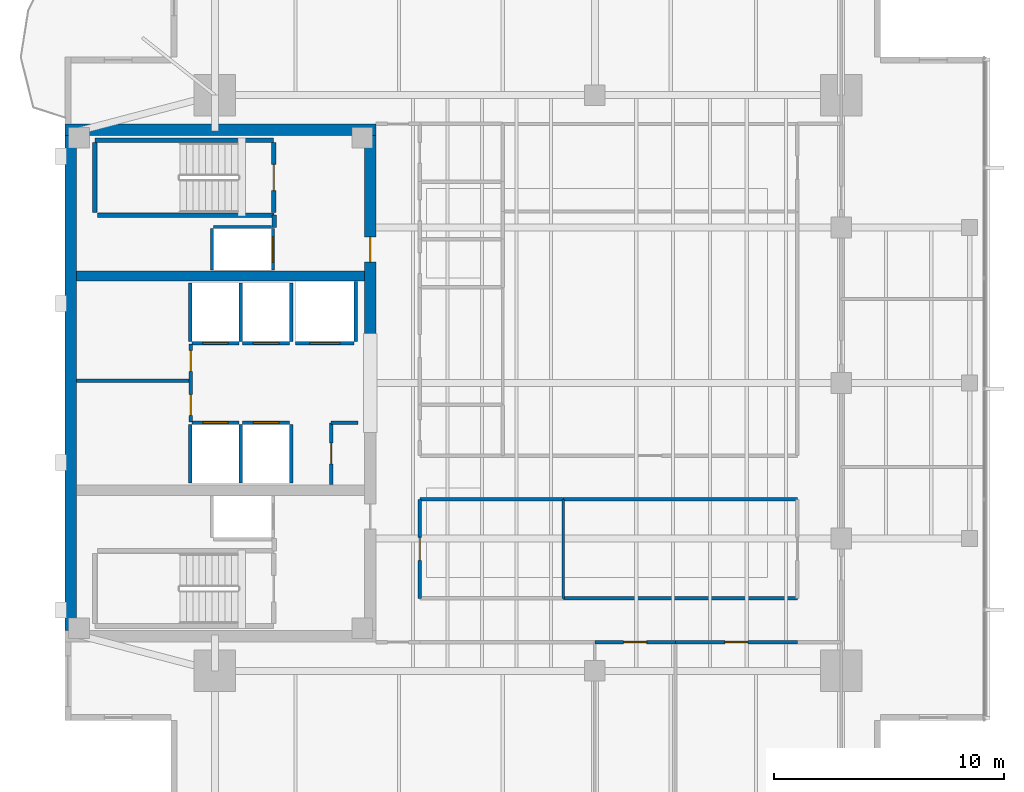
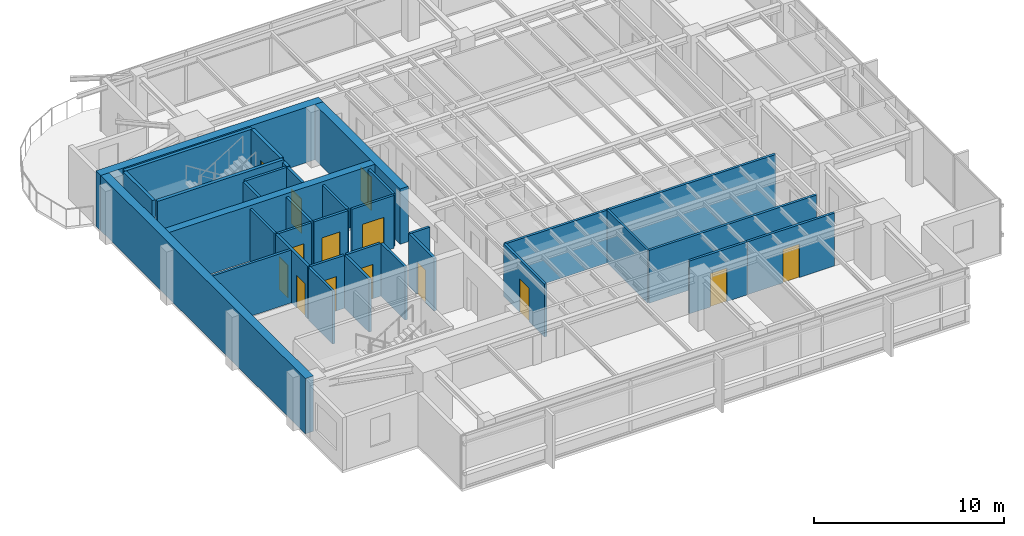
# One storey, part 8 of 14: 35 walls, 14 doors, 14 openings.
"""IFC4 building model written with IfcOpenShell, lengths in metres."""

from ifc_helpers import new_model, si_unit, direction, frame, frame_2d, origin, place, context, subcontext, project, spatial, rectangle, extrude, material, layer, layer_set, type_object, element, fill, save


model = new_model("IFC4")

# Units and contexts
model_context = context("Model", 3, precision=1e-05, world=origin(), true_north=direction((0.0, 1.0)))
body_context = subcontext(model_context, "Body", "Model", "MODEL_VIEW")
ifc_project = project(units=[si_unit("LENGTHUNIT", "METRE"), si_unit("AREAUNIT", "SQUARE_METRE"), si_unit("VOLUMEUNIT", "CUBIC_METRE"), si_unit("PLANEANGLEUNIT", "RADIAN"), si_unit("MASSUNIT", "GRAM", prefix="KILO")], contexts=[model_context])

# Site, building, storey
site_placement = place(None, origin())
site = spatial("IfcSite", under=ifc_project, at=site_placement, CompositionType="ELEMENT")
building_placement = place(site_placement, origin())
building = spatial("IfcBuilding", under=site, at=building_placement, Name="Kinhvarn Gate Tower", CompositionType="ELEMENT")
storey_placement = place(building_placement, frame((0.0, 0.0, 277.64990234375)))
storey = spatial("IfcBuildingStorey", under=building, at=storey_placement, Name="L74", CompositionType="ELEMENT", Elevation=277.64990234375)

# Walls
ifc_material_1 = material(Name="Concrete C50/60", Category="concrete")
ifc_layer_1 = layer(ifc_material_1, 0.449951171875)
ifc_layer_set_1 = layer_set([ifc_layer_1], Name="Concrete C50/60")
wall_type_1 = type_object("IfcWallType", Name="WL-CORE-450", PredefinedType="SHEAR", material=ifc_layer_set_1)
wall_1_placement = place(storey_placement, frame((5.0, 29.89990234375, 0.0), z_axis=(0.0, 0.0, 1.0), x_axis=(1.0, 0.0, 0.0)))
element("IfcWall", 1, at=wall_1_placement, inside=storey, type_object=wall_type_1, Name="Core North Spine Shear Wall L74 450 mm", PredefinedType="SHEAR", context=body_context, shape_type="SweptSolid", body=[
    extrude(rectangle(XDim=12.5, YDim=0.449951171875, at=frame_2d((6.25, 0.0))), origin(), (0.0, 0.0, 1.0), 3.550048828125),
])
ifc_layer_2 = layer(ifc_material_1, 0.5)
ifc_layer_set_2 = layer_set([ifc_layer_2], Name="Concrete C50/60")
wall_type_2 = type_object("IfcWallType", Name="WL-CORE-500", PredefinedType="SHEAR", material=ifc_layer_set_2)
wall_2_placement = place(storey_placement, frame((4.5, 36.25, 0.0), z_axis=(0.0, 0.0, 1.0), x_axis=(1.0, 0.0, 0.0)))
element("IfcWall", 2, at=wall_2_placement, inside=storey, type_object=wall_type_2, Name="Core North Shear Wall L74 500 mm", PredefinedType="SHEAR", context=body_context, shape_type="SweptSolid", body=[
    extrude(rectangle(XDim=13.5, YDim=0.5, at=frame_2d((6.75, 0.0))), origin(), (0.0, 0.0, 1.0), 3.550048828125),
])

# Wall, opening, door
wall_3_placement = place(storey_placement, frame((17.75, 27.050048828125, 0.0), z_axis=(0.0, 0.0, 1.0), x_axis=(0.0, 1.0, 0.0)))
wall_3 = element("IfcWall", 3, at=wall_3_placement, inside=storey, type_object=wall_type_2, Name="Core East-North Shear Pier L74 500 mm", PredefinedType="SHEAR", context=body_context, shape_type="SweptSolid", body=[
    extrude(rectangle(XDim=8.949951171875, YDim=0.5, at=frame_2d((4.47509765625, 0.0))), origin(), (0.0, 0.0, 1.0), 3.550048828125),
])
opening_1_placement = place(wall_3_placement, frame((3.449951171875, 0.0, 0.0)))
opening_1 = element("IfcOpeningElement", 4, at=opening_1_placement, cuts=wall_3, Name="Opening FD-02", PredefinedType="OPENING", context=body_context, shape_type="SweptSolid", body=[
    extrude(rectangle(XDim=1.10009765625, YDim=2.14990234375, at=frame_2d((0.550048828125, 1.074951171875))), frame((0.0, 0.260009765625, 0.0), z_axis=(0.0, -1.0, 0.0), x_axis=(1.0, 0.0, 0.0)), (0.0, 0.0, 1.0), 0.52001953125),
])
ifc_material_2 = material(Name="Anodised aluminium AW-6063", Category="aluminium")
door_type_1 = type_object("IfcDoorType", Name="DR-FD-1100", OperationType="NOTDEFINED", PredefinedType="DOOR", material=ifc_material_2)
door_1_placement = place(opening_1_placement, origin())
door_1 = element("IfcDoor", 5, at=door_1_placement, inside=storey, type_object=door_type_1, Name="Firefighting Lobby Core Door (L74)", OperationType="SINGLE_SWING_LEFT", OverallHeight=2.14990234375, OverallWidth=1.10009765625, PredefinedType="DOOR", context=body_context, shape_type="SweptSolid", body=[
    extrude(rectangle(XDim=1.10009765625, YDim=2.14990234375, at=frame_2d((0.550048828125, 1.074951171875))), frame((0.0, 0.02490234375, 0.0), z_axis=(0.0, -1.0, 0.0), x_axis=(1.0, 0.0, 0.0)), (0.0, 0.0, 1.0), 0.050048828125),
])
fill(opening_1, door_1)

# Walls
ifc_layer_3 = layer(ifc_material_1, 0.5)
ifc_layer_set_3 = layer_set([ifc_layer_3], Name="Concrete C50/60")
wall_type_3 = type_object("IfcWallType", Name="WL-COREX-500", PredefinedType="SHEAR", material=ifc_layer_set_3)
wall_4_placement = place(storey_placement, frame((4.75, 14.5, 0.0), z_axis=(0.0, 0.0, 1.0), x_axis=(0.0, 1.0, 0.0)))
element("IfcWall", 6, at=wall_4_placement, inside=storey, type_object=wall_type_3, Name="Core West Shear Wall L74 500 mm", PredefinedType="SHEAR", context=body_context, shape_type="SweptSolid", body=[
    extrude(rectangle(XDim=21.5, YDim=0.5, at=frame_2d((10.75, 0.0))), origin(), (0.0, 0.0, 1.0), 3.550048828125),
])
ifc_material_3 = material(Name="Gypsum acoustic partition board")
ifc_layer_4 = layer(ifc_material_3, 0.1201171875)
ifc_layer_set_4 = layer_set([ifc_layer_4], Name="Gypsum acoustic partition board")
wall_type_4 = type_object("IfcWallType", Name="WL-PRT-120", PredefinedType="PARTITIONING", material=ifc_layer_set_4)
wall_5_placement = place(storey_placement, frame((26.1298828125, 15.89990234375, 0.0), z_axis=(0.0, 0.0, 1.0), x_axis=(0.0, 1.0, 0.0)))
element("IfcWall", 7, at=wall_5_placement, inside=storey, type_object=wall_type_4, Name="Interior Partition PW-120 (L74)", PredefinedType="PARTITIONING", context=body_context, shape_type="SweptSolid", body=[
    extrude(rectangle(XDim=4.300048828125, YDim=0.1201171875, at=frame_2d((2.14990234375, 0.0))), origin(), (0.0, 0.0, 1.0), 3.39013671875),
])
ifc_layer_5 = layer(ifc_material_3, 0.14990234375)
ifc_layer_set_5 = layer_set([ifc_layer_5], Name="Gypsum acoustic partition board")
wall_type_5 = type_object("IfcWallType", Name="WL-PRT-150F", PredefinedType="PARTITIONING", material=ifc_layer_set_5)
wall_6_placement = place(storey_placement, frame((5.0, 25.35009765625, 0.0), z_axis=(0.0, 0.0, 1.0), x_axis=(1.0, 0.0, 0.0)))
element("IfcWall", 8, at=wall_6_placement, inside=storey, type_object=wall_type_5, Name="Interior Partition PW-150F (L74)", PredefinedType="PARTITIONING", context=body_context, shape_type="SweptSolid", body=[
    extrude(rectangle(XDim=4.949951171875, YDim=0.14990234375, at=frame_2d((2.47509765625, 0.0))), origin(), (0.0, 0.0, 1.0), 3.39013671875),
])

# Wall, openings, doors
wall_7_placement = place(storey_placement, frame((9.949951171875, 23.550048828125, 0.0), z_axis=(0.0, 0.0, 1.0), x_axis=(0.0, 1.0, 0.0)))
wall_7 = element("IfcWall", 9, at=wall_7_placement, inside=storey, type_object=wall_type_5, Name="Interior Partition PW-150F (L74)", PredefinedType="PARTITIONING", context=body_context, shape_type="SweptSolid", body=[
    extrude(rectangle(XDim=3.39990234375, YDim=0.14990234375, at=frame_2d((1.699951171875, 0.0))), origin(), (0.0, 0.0, 1.0), 3.39013671875),
])
opening_2_placement = place(wall_7_placement, frame((0.298095703125, 0.0, 0.0)))
opening_2 = element("IfcOpeningElement", 10, at=opening_2_placement, cuts=wall_7, Name="Opening FD-04", PredefinedType="OPENING", context=body_context, shape_type="SweptSolid", body=[
    extrude(rectangle(XDim=0.89990234375, YDim=2.10009765625, at=frame_2d((0.449951171875, 1.050048828125))), frame((0.0, 0.0849609375, 0.0), z_axis=(0.0, -1.0, 0.0), x_axis=(1.0, 0.0, 0.0)), (0.0, 0.0, 1.0), 0.169921875),
])
opening_3_placement = place(wall_7_placement, frame((2.201904296875, 0.0, 0.0)))
opening_3 = element("IfcOpeningElement", 11, at=opening_3_placement, cuts=wall_7, Name="Opening FD-04", PredefinedType="OPENING", context=body_context, shape_type="SweptSolid", body=[
    extrude(rectangle(XDim=0.89990234375, YDim=2.10009765625, at=frame_2d((0.449951171875, 1.050048828125))), frame((0.0, 0.0849609375, 0.0), z_axis=(0.0, -1.0, 0.0), x_axis=(1.0, 0.0, 0.0)), (0.0, 0.0, 1.0), 0.169921875),
])
door_type_2 = type_object("IfcDoorType", Name="DR-FD-900", OperationType="NOTDEFINED", PredefinedType="DOOR", material=ifc_material_2)
door_2_placement = place(opening_2_placement, origin())
door_2 = element("IfcDoor", 12, at=door_2_placement, inside=storey, type_object=door_type_2, Name="Rated Riser & Service Closet Fire Door 900x2100 mm (L74)", OperationType="SINGLE_SWING_LEFT", OverallHeight=2.10009765625, OverallWidth=0.89990234375, PredefinedType="DOOR", context=body_context, shape_type="SweptSolid", body=[
    extrude(rectangle(XDim=0.89990234375, YDim=2.10009765625, at=frame_2d((0.449951171875, 1.050048828125))), frame((0.0, 0.02490234375, 0.0), z_axis=(0.0, -1.0, 0.0), x_axis=(1.0, 0.0, 0.0)), (0.0, 0.0, 1.0), 0.050048828125),
])
fill(opening_2, door_2)
door_3_placement = place(opening_3_placement, origin())
door_3 = element("IfcDoor", 13, at=door_3_placement, inside=storey, type_object=door_type_2, Name="Rated Riser & Service Closet Fire Door 900x2100 mm (L74)", OperationType="SINGLE_SWING_RIGHT", OverallHeight=2.10009765625, OverallWidth=0.89990234375, PredefinedType="DOOR", context=body_context, shape_type="SweptSolid", body=[
    extrude(rectangle(XDim=0.89990234375, YDim=2.10009765625, at=frame_2d((0.449951171875, 1.050048828125))), frame((0.0, 0.02490234375, 0.0), z_axis=(0.0, -1.0, 0.0), x_axis=(1.0, 0.0, 0.0)), (0.0, 0.0, 1.0), 0.050048828125),
])
fill(opening_3, door_3)

# Wall, opening, door
wall_8_placement = place(storey_placement, frame((16.050048828125, 20.85009765625, 0.0), z_axis=(0.0, 0.0, 1.0), x_axis=(0.0, 1.0, 0.0)))
wall_8 = element("IfcWall", 14, at=wall_8_placement, inside=storey, type_object=wall_type_5, Name="Interior Partition PW-150F (L74)", PredefinedType="PARTITIONING", context=body_context, shape_type="SweptSolid", body=[
    extrude(rectangle(XDim=2.669921875, YDim=0.14990234375, at=frame_2d((1.3349609375, 0.0))), origin(), (0.0, 0.0, 1.0), 3.39013671875),
])
opening_4_placement = place(wall_8_placement, frame((0.885009765625, 0.0, 0.0)))
opening_4 = element("IfcOpeningElement", 15, at=opening_4_placement, cuts=wall_8, Name="Opening FD-04", PredefinedType="OPENING", context=body_context, shape_type="SweptSolid", body=[
    extrude(rectangle(XDim=0.89990234375, YDim=2.10009765625, at=frame_2d((0.449951171875, 1.050048828125))), frame((0.0, 0.0849609375, 0.0), z_axis=(0.0, -1.0, 0.0), x_axis=(1.0, 0.0, 0.0)), (0.0, 0.0, 1.0), 0.169921875),
])
door_4_placement = place(opening_4_placement, origin())
door_4 = element("IfcDoor", 16, at=door_4_placement, inside=storey, type_object=door_type_2, Name="Rated Riser & Service Closet Fire Door 900x2100 mm (L74)", OperationType="SINGLE_SWING_LEFT", OverallHeight=2.10009765625, OverallWidth=0.89990234375, PredefinedType="DOOR", context=body_context, shape_type="SweptSolid", body=[
    extrude(rectangle(XDim=0.89990234375, YDim=2.10009765625, at=frame_2d((0.449951171875, 1.050048828125))), frame((0.0, 0.02490234375, 0.0), z_axis=(0.0, -1.0, 0.0), x_axis=(1.0, 0.0, 0.0)), (0.0, 0.0, 1.0), 0.050048828125),
])
fill(opening_4, door_4)

# Wall
wall_9_placement = place(storey_placement, frame((16.050048828125, 23.52001953125, 0.0), z_axis=(0.0, 0.0, 1.0), x_axis=(1.0, 0.0, 0.0)))
element("IfcWall", 17, at=wall_9_placement, inside=storey, type_object=wall_type_5, Name="Interior Partition PW-150F (L74)", PredefinedType="PARTITIONING", context=body_context, shape_type="SweptSolid", body=[
    extrude(rectangle(XDim=1.169921875, YDim=0.14990234375, at=frame_2d((0.5849609375, 0.0))), origin(), (0.0, 0.0, 1.0), 3.39013671875),
])

# Wall, opening, door
wall_10_placement = place(storey_placement, frame((19.89990234375, 15.89990234375, 0.0), z_axis=(0.0, 0.0, 1.0), x_axis=(0.0, 1.0, 0.0)))
wall_10 = element("IfcWall", 18, at=wall_10_placement, inside=storey, type_object=wall_type_5, Name="Interior Partition PW-150F (L74)", PredefinedType="PARTITIONING", context=body_context, shape_type="SweptSolid", body=[
    extrude(rectangle(XDim=4.300048828125, YDim=0.14990234375, at=frame_2d((2.14990234375, 0.0))), origin(), (0.0, 0.0, 1.0), 3.39013671875),
])
opening_5_placement = place(wall_10_placement, frame((1.64990234375, 0.0, 0.0)))
opening_5 = element("IfcOpeningElement", 19, at=opening_5_placement, cuts=wall_10, Name="Opening ID-02", PredefinedType="OPENING", context=body_context, shape_type="SweptSolid", body=[
    extrude(rectangle(XDim=1.0, YDim=2.14990234375, at=frame_2d((0.5, 1.074951171875))), frame((0.0, 0.0849609375, 0.0), z_axis=(0.0, -1.0, 0.0), x_axis=(1.0, 0.0, 0.0)), (0.0, 0.0, 1.0), 0.169921875),
])
door_type_3 = type_object("IfcDoorType", Name="DR-INT-1000", OperationType="NOTDEFINED", PredefinedType="DOOR", material=ifc_material_2)
door_5_placement = place(opening_5_placement, origin())
door_5 = element("IfcDoor", 20, at=door_5_placement, inside=storey, type_object=door_type_3, Name="Standard Office & Meeting Room Door 1000x2150 mm (L74)", OperationType="SINGLE_SWING_RIGHT", OverallHeight=2.14990234375, OverallWidth=1.0, PredefinedType="DOOR", context=body_context, shape_type="SweptSolid", body=[
    extrude(rectangle(XDim=1.0, YDim=2.14990234375, at=frame_2d((0.5, 1.074951171875))), frame((0.0, 0.02490234375, 0.0), z_axis=(0.0, -1.0, 0.0), x_axis=(1.0, 0.0, 0.0)), (0.0, 0.0, 1.0), 0.050048828125),
])
fill(opening_5, door_5)

# Walls
wall_11_placement = place(storey_placement, frame((19.89990234375, 20.199951171875, 0.0), z_axis=(0.0, 0.0, 1.0), x_axis=(1.0, 0.0, 0.0)))
element("IfcWall", 21, at=wall_11_placement, inside=storey, type_object=wall_type_5, Name="Interior Partition PW-150F (L74)", PredefinedType="PARTITIONING", context=body_context, shape_type="SweptSolid", body=[
    extrude(rectangle(XDim=6.22998046875, YDim=0.14990234375, at=frame_2d((3.114990234375, 0.0))), origin(), (0.0, 0.0, 1.0), 3.39013671875),
])
for number, where, z_axis, x_axis, name in (
    (22, (26.1298828125, 20.199951171875, 0.0), (0.0, 0.0, 1.0), (1.0, 0.0, 0.0), "Interior Partition PW-150F (L74)"),
    (23, (26.1298828125, 15.89990234375, 0.0), (0.0, 0.0, 1.0), (1.0, 0.0, 0.0), "Interior Partition PW-150F (L74)"),
):
    element("IfcWall", number, at=place(storey_placement, frame(where, z_axis=z_axis, x_axis=x_axis)), inside=storey, type_object=wall_type_5, Name=name, PredefinedType="PARTITIONING", context=body_context, shape_type="SweptSolid", body=[
        extrude(rectangle(XDim=10.170166015625, YDim=0.14990234375, at=frame_2d((5.0849609375, 0.0))), origin(), (0.0, 0.0, 1.0), 3.39013671875),
    ])

# Wall, opening, door
wall_12_placement = place(storey_placement, frame((27.5, 14.0, 0.0), z_axis=(0.0, 0.0, 1.0), x_axis=(1.0, 0.0, 0.0)))
wall_12 = element("IfcWall", 24, at=wall_12_placement, inside=storey, type_object=wall_type_5, Name="Interior Partition PW-150F (L74)", PredefinedType="PARTITIONING", context=body_context, shape_type="SweptSolid", body=[
    extrude(rectangle(XDim=3.5, YDim=0.14990234375, at=frame_2d((1.75, 0.0))), origin(), (0.0, 0.0, 1.0), 3.39013671875),
])
opening_6_placement = place(wall_12_placement, frame((1.25, 0.0, 0.0)))
opening_6 = element("IfcOpeningElement", 25, at=opening_6_placement, cuts=wall_12, Name="Opening ID-02", PredefinedType="OPENING", context=body_context, shape_type="SweptSolid", body=[
    extrude(rectangle(XDim=1.0, YDim=2.14990234375, at=frame_2d((0.5, 1.074951171875))), frame((0.0, 0.0849609375, 0.0), z_axis=(0.0, -1.0, 0.0), x_axis=(1.0, 0.0, 0.0)), (0.0, 0.0, 1.0), 0.169921875),
])
door_6_placement = place(opening_6_placement, origin())
door_6 = element("IfcDoor", 26, at=door_6_placement, inside=storey, type_object=door_type_3, Name="Standard Office & Meeting Room Door 1000x2150 mm (L74)", OperationType="SINGLE_SWING_RIGHT", OverallHeight=2.14990234375, OverallWidth=1.0, PredefinedType="DOOR", context=body_context, shape_type="SweptSolid", body=[
    extrude(rectangle(XDim=1.0, YDim=2.14990234375, at=frame_2d((0.5, 1.074951171875))), frame((0.0, 0.02490234375, 0.0), z_axis=(0.0, -1.0, 0.0), x_axis=(1.0, 0.0, 0.0)), (0.0, 0.0, 1.0), 0.050048828125),
])
fill(opening_6, door_6)

wall_13_placement = place(storey_placement, frame((31.0, 14.0, 0.0), z_axis=(0.0, 0.0, 1.0), x_axis=(1.0, 0.0, 0.0)))
wall_13 = element("IfcWall", 27, at=wall_13_placement, inside=storey, type_object=wall_type_5, Name="Interior Partition PW-150F (L74)", PredefinedType="PARTITIONING", context=body_context, shape_type="SweptSolid", body=[
    extrude(rectangle(XDim=5.300048828125, YDim=0.14990234375, at=frame_2d((2.64990234375, 0.0))), origin(), (0.0, 0.0, 1.0), 3.39013671875),
])
opening_7_placement = place(wall_13_placement, frame((2.14990234375, 0.0, 0.0)))
opening_7 = element("IfcOpeningElement", 28, at=opening_7_placement, cuts=wall_13, Name="Opening ID-02", PredefinedType="OPENING", context=body_context, shape_type="SweptSolid", body=[
    extrude(rectangle(XDim=1.0, YDim=2.14990234375, at=frame_2d((0.5, 1.074951171875))), frame((0.0, 0.0849609375, 0.0), z_axis=(0.0, -1.0, 0.0), x_axis=(1.0, 0.0, 0.0)), (0.0, 0.0, 1.0), 0.169921875),
])
door_7_placement = place(opening_7_placement, origin())
door_7 = element("IfcDoor", 29, at=door_7_placement, inside=storey, type_object=door_type_3, Name="Standard Office & Meeting Room Door 1000x2150 mm (L74)", OperationType="SINGLE_SWING_LEFT", OverallHeight=2.14990234375, OverallWidth=1.0, PredefinedType="DOOR", context=body_context, shape_type="SweptSolid", body=[
    extrude(rectangle(XDim=1.0, YDim=2.14990234375, at=frame_2d((0.5, 1.074951171875))), frame((0.0, 0.02490234375, 0.0), z_axis=(0.0, -1.0, 0.0), x_axis=(1.0, 0.0, 0.0)), (0.0, 0.0, 1.0), 0.050048828125),
])
fill(opening_7, door_7)

# Wall
ifc_layer_6 = layer(ifc_material_3, 0.199951171875)
ifc_layer_set_6 = layer_set([ifc_layer_6], Name="Gypsum acoustic partition board")
wall_type_6 = type_object("IfcWallType", Name="WL-PRT-200", PredefinedType="PARTITIONING", material=ifc_layer_set_6)
wall_14_placement = place(storey_placement, frame((13.580078125, 32.0, 0.0), z_axis=(0.0, 0.0, 1.0), x_axis=(0.0, 1.0, 0.0)))
element("IfcWall", 30, at=wall_14_placement, inside=storey, type_object=wall_type_6, Name="Interior Partition PW-200 (L74)", PredefinedType="PARTITIONING", context=body_context, shape_type="SweptSolid", body=[
    extrude(rectangle(XDim=0.5400390625, YDim=0.199951171875, at=frame_2d((0.27001953125, 0.0))), origin(), (0.0, 0.0, 1.0), 3.39013671875),
])

# Wall, opening, door
ifc_layer_7 = layer(ifc_material_3, 0.14990234375)
ifc_layer_set_7 = layer_set([ifc_layer_7], Name="Gypsum acoustic partition board")
wall_type_7 = type_object("IfcWallType", Name="WL-SHF-150", PredefinedType="PARTITIONING", material=ifc_layer_set_7)
wall_15_placement = place(storey_placement, frame((10.0, 23.52490234375, 0.0), z_axis=(0.0, 0.0, 1.0), x_axis=(1.0, 0.0, 0.0)))
wall_15 = element("IfcWall", 31, at=wall_15_placement, inside=storey, type_object=wall_type_7, Name="Elevator PH-09 Landing Wall (L74)", PredefinedType="PARTITIONING", context=body_context, shape_type="SweptSolid", body=[
    extrude(rectangle(XDim=2.050048828125, YDim=0.14990234375, at=frame_2d((1.02490234375, 0.0))), origin(), (0.0, 0.0, 1.0), 3.39013671875),
])
opening_8_placement = place(wall_15_placement, frame((0.47509765625, 0.0, 0.0)))
opening_8 = element("IfcOpeningElement", 32, at=opening_8_placement, cuts=wall_15, Name="Opening LD-01", PredefinedType="OPENING", context=body_context, shape_type="SweptSolid", body=[
    extrude(rectangle(XDim=1.10009765625, YDim=2.199951171875, at=frame_2d((0.550048828125, 1.10009765625))), frame((0.0, 0.0849609375, 0.0), z_axis=(0.0, -1.0, 0.0), x_axis=(1.0, 0.0, 0.0)), (0.0, 0.0, 1.0), 0.169921875),
])
door_type_4 = type_object("IfcDoorType", Name="DR-LND-PAS", OperationType="NOTDEFINED", PredefinedType="DOOR", material=ifc_material_2)
door_8_placement = place(opening_8_placement, origin())
door_8 = element("IfcDoor", 33, at=door_8_placement, inside=storey, type_object=door_type_4, Name="Elevator PH-09 Sliding Landing Door (L74)", OperationType="DOUBLE_DOOR_SLIDING", OverallHeight=2.199951171875, OverallWidth=1.10009765625, PredefinedType="DOOR", context=body_context, shape_type="SweptSolid", body=[
    extrude(rectangle(XDim=1.10009765625, YDim=2.199951171875, at=frame_2d((0.550048828125, 1.10009765625))), frame((0.0, 0.02490234375, 0.0), z_axis=(0.0, -1.0, 0.0), x_axis=(1.0, 0.0, 0.0)), (0.0, 0.0, 1.0), 0.050048828125),
])
fill(opening_8, door_8)

# Walls
for number, where, z_axis, x_axis, name in (
    (34, (9.925048828125, 20.89990234375, 0.0), (0.0, 0.0, 1.0), (0.0, 1.0, 0.0), "Elevator PH-09 Hoistway Wall W (L74)"),
    (35, (12.125, 20.89990234375, 0.0), (0.0, 0.0, 1.0), (0.0, 1.0, 0.0), "Elevator PH-09 Hoistway Wall E (L74)"),
):
    element("IfcWall", number, at=place(storey_placement, frame(where, z_axis=z_axis, x_axis=x_axis)), inside=storey, type_object=wall_type_7, Name=name, PredefinedType="PARTITIONING", context=body_context, shape_type="SweptSolid", body=[
        extrude(rectangle(XDim=2.550048828125, YDim=0.14990234375, at=frame_2d((1.27490234375, 0.0))), origin(), (0.0, 0.0, 1.0), 3.39013671875),
    ])

# Wall, opening, door
wall_16_placement = place(storey_placement, frame((12.199951171875, 23.52490234375, 0.0), z_axis=(0.0, 0.0, 1.0), x_axis=(1.0, 0.0, 0.0)))
wall_16 = element("IfcWall", 36, at=wall_16_placement, inside=storey, type_object=wall_type_7, Name="Elevator PH-10 Landing Wall (L74)", PredefinedType="PARTITIONING", context=body_context, shape_type="SweptSolid", body=[
    extrude(rectangle(XDim=2.050048828125, YDim=0.14990234375, at=frame_2d((1.02490234375, 0.0))), origin(), (0.0, 0.0, 1.0), 3.39013671875),
])
opening_9_placement = place(wall_16_placement, frame((0.47509765625, 0.0, 0.0)))
opening_9 = element("IfcOpeningElement", 37, at=opening_9_placement, cuts=wall_16, Name="Opening LD-01", PredefinedType="OPENING", context=body_context, shape_type="SweptSolid", body=[
    extrude(rectangle(XDim=1.10009765625, YDim=2.199951171875, at=frame_2d((0.550048828125, 1.10009765625))), frame((0.0, 0.0849609375, 0.0), z_axis=(0.0, -1.0, 0.0), x_axis=(1.0, 0.0, 0.0)), (0.0, 0.0, 1.0), 0.169921875),
])
door_9_placement = place(opening_9_placement, origin())
door_9 = element("IfcDoor", 38, at=door_9_placement, inside=storey, type_object=door_type_4, Name="Elevator PH-10 Sliding Landing Door (L74)", OperationType="DOUBLE_DOOR_SLIDING", OverallHeight=2.199951171875, OverallWidth=1.10009765625, PredefinedType="DOOR", context=body_context, shape_type="SweptSolid", body=[
    extrude(rectangle(XDim=1.10009765625, YDim=2.199951171875, at=frame_2d((0.550048828125, 1.10009765625))), frame((0.0, 0.02490234375, 0.0), z_axis=(0.0, -1.0, 0.0), x_axis=(1.0, 0.0, 0.0)), (0.0, 0.0, 1.0), 0.050048828125),
])
fill(opening_9, door_9)

# Wall
wall_17_placement = place(storey_placement, frame((14.324951171875, 20.89990234375, 0.0), z_axis=(0.0, 0.0, 1.0), x_axis=(0.0, 1.0, 0.0)))
element("IfcWall", 39, at=wall_17_placement, inside=storey, type_object=wall_type_7, Name="Elevator PH-10 Hoistway Wall E (L74)", PredefinedType="PARTITIONING", context=body_context, shape_type="SweptSolid", body=[
    extrude(rectangle(XDim=2.550048828125, YDim=0.14990234375, at=frame_2d((1.27490234375, 0.0))), origin(), (0.0, 0.0, 1.0), 3.39013671875),
])

# Wall, opening, door
wall_18_placement = place(storey_placement, frame((10.0, 26.97509765625, 0.0), z_axis=(0.0, 0.0, 1.0), x_axis=(1.0, 0.0, 0.0)))
wall_18 = element("IfcWall", 40, at=wall_18_placement, inside=storey, type_object=wall_type_7, Name="Elevator PH-11 Landing Wall (L74)", PredefinedType="PARTITIONING", context=body_context, shape_type="SweptSolid", body=[
    extrude(rectangle(XDim=2.050048828125, YDim=0.14990234375, at=frame_2d((1.02490234375, 0.0))), origin(), (0.0, 0.0, 1.0), 3.39013671875),
])
opening_10_placement = place(wall_18_placement, frame((0.47509765625, 0.0, 0.0)))
opening_10 = element("IfcOpeningElement", 41, at=opening_10_placement, cuts=wall_18, Name="Opening LD-01", PredefinedType="OPENING", context=body_context, shape_type="SweptSolid", body=[
    extrude(rectangle(XDim=1.10009765625, YDim=2.199951171875, at=frame_2d((0.550048828125, 1.10009765625))), frame((0.0, 0.0849609375, 0.0), z_axis=(0.0, -1.0, 0.0), x_axis=(1.0, 0.0, 0.0)), (0.0, 0.0, 1.0), 0.169921875),
])
door_10_placement = place(opening_10_placement, origin())
door_10 = element("IfcDoor", 42, at=door_10_placement, inside=storey, type_object=door_type_4, Name="Elevator PH-11 Sliding Landing Door (L74)", OperationType="DOUBLE_DOOR_SLIDING", OverallHeight=2.199951171875, OverallWidth=1.10009765625, PredefinedType="DOOR", context=body_context, shape_type="SweptSolid", body=[
    extrude(rectangle(XDim=1.10009765625, YDim=2.199951171875, at=frame_2d((0.550048828125, 1.10009765625))), frame((0.0, 0.02490234375, 0.0), z_axis=(0.0, -1.0, 0.0), x_axis=(1.0, 0.0, 0.0)), (0.0, 0.0, 1.0), 0.050048828125),
])
fill(opening_10, door_10)

# Walls
for number, where, z_axis, x_axis, name in (
    (43, (9.925048828125, 27.050048828125, 0.0), (0.0, 0.0, 1.0), (0.0, 1.0, 0.0), "Elevator PH-11 Hoistway Wall W (L74)"),
    (44, (12.125, 27.050048828125, 0.0), (0.0, 0.0, 1.0), (0.0, 1.0, 0.0), "Elevator PH-11 Hoistway Wall E (L74)"),
):
    element("IfcWall", number, at=place(storey_placement, frame(where, z_axis=z_axis, x_axis=x_axis)), inside=storey, type_object=wall_type_7, Name=name, PredefinedType="PARTITIONING", context=body_context, shape_type="SweptSolid", body=[
        extrude(rectangle(XDim=2.550048828125, YDim=0.14990234375, at=frame_2d((1.27490234375, 0.0))), origin(), (0.0, 0.0, 1.0), 3.39013671875),
    ])

# Wall, opening, door
wall_19_placement = place(storey_placement, frame((12.199951171875, 26.97509765625, 0.0), z_axis=(0.0, 0.0, 1.0), x_axis=(1.0, 0.0, 0.0)))
wall_19 = element("IfcWall", 45, at=wall_19_placement, inside=storey, type_object=wall_type_7, Name="Elevator PH-12 Landing Wall (L74)", PredefinedType="PARTITIONING", context=body_context, shape_type="SweptSolid", body=[
    extrude(rectangle(XDim=2.050048828125, YDim=0.14990234375, at=frame_2d((1.02490234375, 0.0))), origin(), (0.0, 0.0, 1.0), 3.39013671875),
])
opening_11_placement = place(wall_19_placement, frame((0.47509765625, 0.0, 0.0)))
opening_11 = element("IfcOpeningElement", 46, at=opening_11_placement, cuts=wall_19, Name="Opening LD-01", PredefinedType="OPENING", context=body_context, shape_type="SweptSolid", body=[
    extrude(rectangle(XDim=1.10009765625, YDim=2.199951171875, at=frame_2d((0.550048828125, 1.10009765625))), frame((0.0, 0.0849609375, 0.0), z_axis=(0.0, -1.0, 0.0), x_axis=(1.0, 0.0, 0.0)), (0.0, 0.0, 1.0), 0.169921875),
])
door_11_placement = place(opening_11_placement, origin())
door_11 = element("IfcDoor", 47, at=door_11_placement, inside=storey, type_object=door_type_4, Name="Elevator PH-12 Sliding Landing Door (L74)", OperationType="DOUBLE_DOOR_SLIDING", OverallHeight=2.199951171875, OverallWidth=1.10009765625, PredefinedType="DOOR", context=body_context, shape_type="SweptSolid", body=[
    extrude(rectangle(XDim=1.10009765625, YDim=2.199951171875, at=frame_2d((0.550048828125, 1.10009765625))), frame((0.0, 0.02490234375, 0.0), z_axis=(0.0, -1.0, 0.0), x_axis=(1.0, 0.0, 0.0)), (0.0, 0.0, 1.0), 0.050048828125),
])
fill(opening_11, door_11)

# Wall
wall_20_placement = place(storey_placement, frame((14.324951171875, 27.050048828125, 0.0), z_axis=(0.0, 0.0, 1.0), x_axis=(0.0, 1.0, 0.0)))
element("IfcWall", 48, at=wall_20_placement, inside=storey, type_object=wall_type_7, Name="Elevator PH-12 Hoistway Wall E (L74)", PredefinedType="PARTITIONING", context=body_context, shape_type="SweptSolid", body=[
    extrude(rectangle(XDim=2.550048828125, YDim=0.14990234375, at=frame_2d((1.27490234375, 0.0))), origin(), (0.0, 0.0, 1.0), 3.39013671875),
])

# Wall, opening, door
wall_21_placement = place(storey_placement, frame((14.5, 26.97509765625, 0.0), z_axis=(0.0, 0.0, 1.0), x_axis=(1.0, 0.0, 0.0)))
wall_21 = element("IfcWall", 49, at=wall_21_placement, inside=storey, type_object=wall_type_7, Name="Elevator SV-01 Landing Wall (L74)", PredefinedType="PARTITIONING", context=body_context, shape_type="SweptSolid", body=[
    extrude(rectangle(XDim=2.550048828125, YDim=0.14990234375, at=frame_2d((1.27490234375, 0.0))), origin(), (0.0, 0.0, 1.0), 3.39013671875),
])
opening_12_placement = place(wall_21_placement, frame((0.625, 0.0, 0.0)))
opening_12 = element("IfcOpeningElement", 50, at=opening_12_placement, cuts=wall_21, Name="Opening LD-02", PredefinedType="OPENING", context=body_context, shape_type="SweptSolid", body=[
    extrude(rectangle(XDim=1.300048828125, YDim=2.199951171875, at=frame_2d((0.64990234375, 1.10009765625))), frame((0.0, 0.0849609375, 0.0), z_axis=(0.0, -1.0, 0.0), x_axis=(1.0, 0.0, 0.0)), (0.0, 0.0, 1.0), 0.169921875),
])
door_type_5 = type_object("IfcDoorType", Name="DR-LND-SRV", OperationType="NOTDEFINED", PredefinedType="DOOR", material=ifc_material_2)
door_12_placement = place(opening_12_placement, origin())
door_12 = element("IfcDoor", 51, at=door_12_placement, inside=storey, type_object=door_type_5, Name="Elevator SV-01 Sliding Landing Door (L74)", OperationType="DOUBLE_DOOR_SLIDING", OverallHeight=2.199951171875, OverallWidth=1.300048828125, PredefinedType="DOOR", context=body_context, shape_type="SweptSolid", body=[
    extrude(rectangle(XDim=1.300048828125, YDim=2.199951171875, at=frame_2d((0.64990234375, 1.10009765625))), frame((0.0, 0.02490234375, 0.0), z_axis=(0.0, -1.0, 0.0), x_axis=(1.0, 0.0, 0.0)), (0.0, 0.0, 1.0), 0.050048828125),
])
fill(opening_12, door_12)

# Walls
wall_22_placement = place(storey_placement, frame((17.125, 27.050048828125, 0.0), z_axis=(0.0, 0.0, 1.0), x_axis=(0.0, 1.0, 0.0)))
element("IfcWall", 52, at=wall_22_placement, inside=storey, type_object=wall_type_7, Name="Elevator SV-01 Hoistway Wall E (L74)", PredefinedType="PARTITIONING", context=body_context, shape_type="SweptSolid", body=[
    extrude(rectangle(XDim=2.599853515625, YDim=0.14990234375, at=frame_2d((1.2998046875, 0.0))), origin(), (0.0, 0.0, 1.0), 3.39013671875),
])
wall_23_placement = place(storey_placement, frame((10.949951171875, 32.02490234375, 0.0), z_axis=(0.0, 0.0, 1.0), x_axis=(1.0, 0.0, 0.0)))
element("IfcWall", 53, at=wall_23_placement, inside=storey, type_object=wall_type_7, Name="Elevator FF2 Hoistway Wall N (L74)", PredefinedType="PARTITIONING", context=body_context, shape_type="SweptSolid", body=[
    extrude(rectangle(XDim=2.5, YDim=0.14990234375, at=frame_2d((1.25, 0.0))), origin(), (0.0, 0.0, 1.0), 3.39013671875),
])
wall_24_placement = place(storey_placement, frame((10.875, 30.14990234375, 0.0), z_axis=(0.0, 0.0, 1.0), x_axis=(0.0, 1.0, 0.0)))
element("IfcWall", 54, at=wall_24_placement, inside=storey, type_object=wall_type_7, Name="Elevator FF2 Hoistway Wall W (L74)", PredefinedType="PARTITIONING", context=body_context, shape_type="SweptSolid", body=[
    extrude(rectangle(XDim=1.800048828125, YDim=0.14990234375, at=frame_2d((0.89990234375, 0.0))), origin(), (0.0, 0.0, 1.0), 3.39013671875),
])

# Wall, opening, door
wall_25_placement = place(storey_placement, frame((13.52490234375, 30.14990234375, 0.0), z_axis=(0.0, 0.0, 1.0), x_axis=(0.0, 1.0, 0.0)))
wall_25 = element("IfcWall", 55, at=wall_25_placement, inside=storey, type_object=wall_type_7, Name="Elevator FF2 Landing Wall (L74)", PredefinedType="PARTITIONING", context=body_context, shape_type="SweptSolid", body=[
    extrude(rectangle(XDim=1.800048828125, YDim=0.14990234375, at=frame_2d((0.89990234375, 0.0))), origin(), (0.0, 0.0, 1.0), 3.39013671875),
])
opening_13_placement = place(wall_25_placement, frame((0.35009765625, 0.0, 0.0)))
opening_13 = element("IfcOpeningElement", 56, at=opening_13_placement, cuts=wall_25, Name="Opening LD-03", PredefinedType="OPENING", context=body_context, shape_type="SweptSolid", body=[
    extrude(rectangle(XDim=1.10009765625, YDim=2.199951171875, at=frame_2d((0.550048828125, 1.10009765625))), frame((0.0, 0.0849609375, 0.0), z_axis=(0.0, -1.0, 0.0), x_axis=(1.0, 0.0, 0.0)), (0.0, 0.0, 1.0), 0.169921875),
])
door_type_6 = type_object("IfcDoorType", Name="DR-LND-FF", OperationType="NOTDEFINED", PredefinedType="DOOR", material=ifc_material_2)
door_13_placement = place(opening_13_placement, origin())
door_13 = element("IfcDoor", 57, at=door_13_placement, inside=storey, type_object=door_type_6, Name="Elevator FF2 Sliding Landing Door (L74)", OperationType="DOUBLE_DOOR_SLIDING", OverallHeight=2.199951171875, OverallWidth=1.10009765625, PredefinedType="DOOR", context=body_context, shape_type="SweptSolid", body=[
    extrude(rectangle(XDim=1.10009765625, YDim=2.199951171875, at=frame_2d((0.550048828125, 1.10009765625))), frame((0.0, 0.02490234375, 0.0), z_axis=(0.0, -1.0, 0.0), x_axis=(1.0, 0.0, 0.0)), (0.0, 0.0, 1.0), 0.050048828125),
])
fill(opening_13, door_13)

# Walls
ifc_material_4 = material(Name="Concrete C40/50", Category="concrete")
ifc_layer_8 = layer(ifc_material_4, 0.199951171875)
ifc_layer_set_8 = layer_set([ifc_layer_8], Name="Concrete C40/50")
wall_type_8 = type_object("IfcWallType", Name="WL-SHF-200", PredefinedType="SOLIDWALL", material=ifc_layer_set_8)
wall_26_placement = place(storey_placement, frame((5.800048828125, 35.800048828125, 0.0), z_axis=(0.0, 0.0, 1.0), x_axis=(1.0, 0.0, 0.0)))
element("IfcWall", 58, at=wall_26_placement, inside=storey, type_object=wall_type_8, Name="Stair ST2 North Shaft Wall (L74)", PredefinedType="SOLIDWALL", context=body_context, shape_type="SweptSolid", body=[
    extrude(rectangle(XDim=7.75, YDim=0.199951171875, at=frame_2d((3.875, 0.0))), origin(), (0.0, 0.0, 1.0), 3.550048828125),
])
wall_27_placement = place(storey_placement, frame((5.7900390625, 32.64990234375, 0.0), z_axis=(0.0, 0.0, 1.0), x_axis=(0.0, 1.0, 0.0)))
element("IfcWall", 59, at=wall_27_placement, inside=storey, type_object=wall_type_8, Name="Stair ST2 West Shaft Wall (L74)", PredefinedType="SOLIDWALL", context=body_context, shape_type="SweptSolid", body=[
    extrude(rectangle(XDim=3.050048828125, YDim=0.199951171875, at=frame_2d((1.52490234375, 0.0))), origin(), (0.0, 0.0, 1.0), 3.550048828125),
])
wall_28_placement = place(storey_placement, frame((5.89990234375, 32.5400390625, 0.0), z_axis=(0.0, 0.0, 1.0), x_axis=(1.0, 0.0, 0.0)))
element("IfcWall", 60, at=wall_28_placement, inside=storey, type_object=wall_type_8, Name="Stair ST2 South Shaft Wall (L74)", PredefinedType="SOLIDWALL", context=body_context, shape_type="SweptSolid", body=[
    extrude(rectangle(XDim=7.66015625, YDim=0.199951171875, at=frame_2d((3.830078125, 0.0))), origin(), (0.0, 0.0, 1.0), 3.550048828125),
])

# Wall, opening, door
wall_29_placement = place(storey_placement, frame((13.56005859375, 32.64990234375, 0.0), z_axis=(0.0, 0.0, 1.0), x_axis=(0.0, 1.0, 0.0)))
wall_29 = element("IfcWall", 61, at=wall_29_placement, inside=storey, type_object=wall_type_8, Name="Stair ST2 East Entry Wall (L74)", PredefinedType="SOLIDWALL", context=body_context, shape_type="SweptSolid", body=[
    extrude(rectangle(XDim=3.050048828125, YDim=0.199951171875, at=frame_2d((1.52490234375, 0.0))), origin(), (0.0, 0.0, 1.0), 3.550048828125),
])
opening_14_placement = place(wall_29_placement, frame((0.949951171875, 0.0, 0.0)))
opening_14 = element("IfcOpeningElement", 62, at=opening_14_placement, cuts=wall_29, Name="Opening FD-01", PredefinedType="OPENING", context=body_context, shape_type="SweptSolid", body=[
    extrude(rectangle(XDim=1.14990234375, YDim=2.14990234375, at=frame_2d((0.574951171875, 1.074951171875))), frame((0.0, 0.10986328125, 0.0), z_axis=(0.0, -1.0, 0.0), x_axis=(1.0, 0.0, 0.0)), (0.0, 0.0, 1.0), 0.219970703125),
])
door_type_7 = type_object("IfcDoorType", Name="DR-ST-1150", OperationType="NOTDEFINED", PredefinedType="DOOR", material=ifc_material_2)
door_14_placement = place(opening_14_placement, origin())
door_14 = element("IfcDoor", 63, at=door_14_placement, inside=storey, type_object=door_type_7, Name="Exit Stair ST2 Fire Door (L74)", OperationType="SINGLE_SWING_LEFT", OverallHeight=2.14990234375, OverallWidth=1.14990234375, PredefinedType="DOOR", context=body_context, shape_type="SweptSolid", body=[
    extrude(rectangle(XDim=1.14990234375, YDim=2.14990234375, at=frame_2d((0.574951171875, 1.074951171875))), frame((0.0, 0.02490234375, 0.0), z_axis=(0.0, -1.0, 0.0), x_axis=(1.0, 0.0, 0.0)), (0.0, 0.0, 1.0), 0.050048828125),
])
fill(opening_14, door_14)

save(model, "model.ifc")
